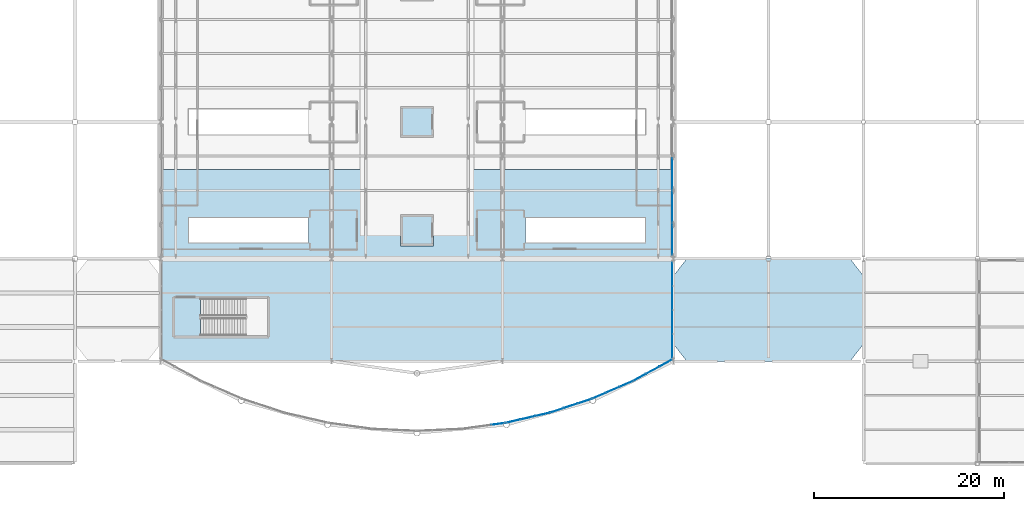
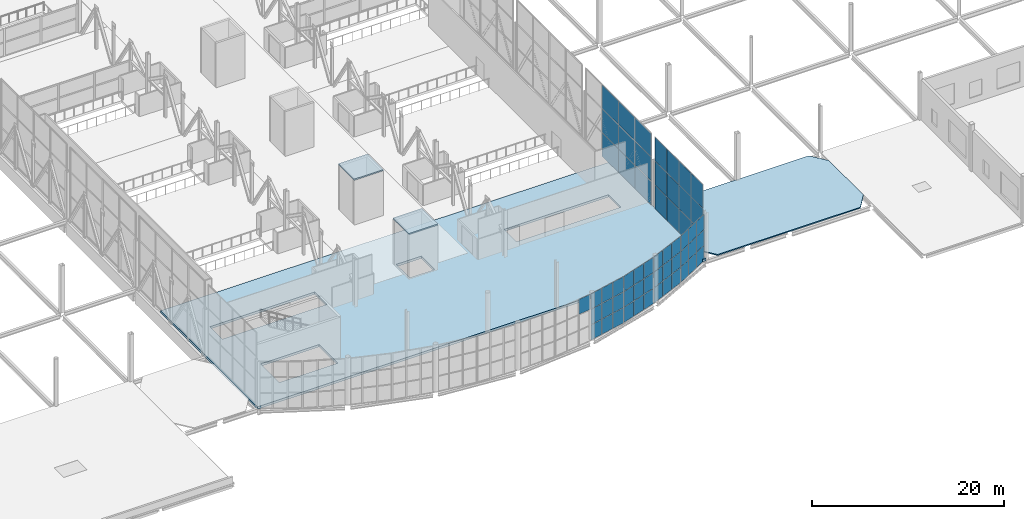
# One storey, part 150 of 191: 58 plates, 4 slabs, 7 elements without a shape of their own.
"""IFC4 building model written with IfcOpenShell, lengths in metres."""

from ifc_helpers import new_model, si_unit, direction, frame, origin, origin_2d, place, context, subcontext, project, spatial, polyline, rectangle, outline, extrude, material, layer, layer_set, type_object, element, aggregate, save


model = new_model("IFC4")

# Units and contexts
model_context = context("Model", 3, precision=1e-05, world=origin(), true_north=direction((0.0, 1.0)))
body_context = subcontext(model_context, "Body", "Model", "MODEL_VIEW")
ifc_project = project(units=[si_unit("LENGTHUNIT", "METRE"), si_unit("AREAUNIT", "SQUARE_METRE"), si_unit("VOLUMEUNIT", "CUBIC_METRE"), si_unit("PLANEANGLEUNIT", "RADIAN"), si_unit("MASSUNIT", "GRAM", prefix="KILO")], contexts=[model_context])

# Site, building, storey
site_placement = place(None, origin())
site = spatial("IfcSite", under=ifc_project, at=site_placement, CompositionType="ELEMENT")
building_placement = place(site_placement, origin())
building = spatial("IfcBuilding", under=site, at=building_placement, Name="Tamarisk Ironworks Central Station", CompositionType="ELEMENT")
storey_placement = place(building_placement, frame((0.0, 0.0, 6.60009765625)))
storey = spatial("IfcBuildingStorey", under=building, at=storey_placement, Name="L01", CompositionType="ELEMENT", Elevation=6.60009765625)

# Curtain wall, plate
ifc_material_1 = material(Name="Anodized aluminium alloy 6063-T6", Category="aluminium")
ifc_layer_1 = layer(ifc_material_1, 0.179931640625)
ifc_layer_set_1 = layer_set([ifc_layer_1], Name="Anodized aluminium alloy 6063-T6")
curtain_wall_type_1 = type_object("IfcCurtainWallType", Name="CW-02", PredefinedType="USERDEFINED", material=ifc_layer_set_1)
curtain_wall_1_placement = place(storey_placement, origin())
curtain_wall_1 = element("IfcCurtainWall", 1, at=curtain_wall_1_placement, inside=storey, type_object=curtain_wall_type_1, Name="SN rounded entrance hall L01 curtain wall bay 08", ObjectType="GLAZED CURTAIN WALL", PredefinedType="USERDEFINED")
ifc_material_2 = material(Name="Laminated solar-control low-E glass", Category="glass")
ifc_layer_2 = layer(ifc_material_2, 0.028076171875)
ifc_layer_set_2 = layer_set([ifc_layer_2], Name="Laminated solar-control low-E glass")
plate_type = type_object("IfcPlateType", Name="PL-CWP28", PredefinedType="CURTAIN_PANEL", material=ifc_layer_set_2)
plate_1_placement = place(storey_placement, frame((89.578125, 4.20703125, 3.64208984375), z_axis=(0.0, 0.0, 1.0), x_axis=(0.990703108403, 0.136041725218, 0.0)))
plate_1 = element("IfcPlate", 2, at=plate_1_placement, type_object=plate_type, Name="CW02 panel 3.3", PredefinedType="CURTAIN_PANEL", context=body_context, shape_type="SweptSolid", body=[
    extrude(rectangle(XDim=1.491943359375, YDim=0.028076171875, at=origin_2d()), origin(), (0.0, 0.0, 1.0), 1.923583984375),
])
aggregate(curtain_wall_1, [plate_1])

# Curtain wall, plates
curtain_wall_2_placement = place(storey_placement, origin())
curtain_wall_2 = element("IfcCurtainWall", 3, at=curtain_wall_2_placement, inside=storey, type_object=curtain_wall_type_1, Name="SN rounded entrance hall L01 curtain wall bay 09", ObjectType="GLAZED CURTAIN WALL", PredefinedType="USERDEFINED")
plate_2_placement = place(storey_placement, frame((91.14990234375, 4.496337890625, -0.3310546875), z_axis=(0.0, 0.0, 1.0), x_axis=(0.974239240545, 0.225516966506, 0.0)))
plate_2 = element("IfcPlate", 4, at=plate_2_placement, type_object=plate_type, Name="CW02 panel 1.1", PredefinedType="CURTAIN_PANEL", context=body_context, shape_type="SweptSolid", body=[
    extrude(rectangle(XDim=1.491943359375, YDim=0.028076171875, at=origin_2d()), origin(), (0.0, 0.0, 1.0), 1.923583984375),
])
plate_3_placement = place(storey_placement, frame((91.14990234375, 4.496337890625, 1.640625), z_axis=(0.0, 0.0, 1.0), x_axis=(0.974239240545, 0.225516966506, 0.0)))
plate_3 = element("IfcPlate", 5, at=plate_3_placement, type_object=plate_type, Name="CW02 panel 1.2", PredefinedType="CURTAIN_PANEL", context=body_context, shape_type="SweptSolid", body=[
    extrude(rectangle(XDim=1.491943359375, YDim=0.028076171875, at=origin_2d()), origin(), (0.0, 0.0, 1.0), 1.95361328125),
])
plate_4_placement = place(storey_placement, frame((91.14990234375, 4.496337890625, 3.64208984375), z_axis=(0.0, 0.0, 1.0), x_axis=(0.974239240545, 0.225516966506, 0.0)))
plate_4 = element("IfcPlate", 6, at=plate_4_placement, type_object=plate_type, Name="CW02 panel 1.3", PredefinedType="CURTAIN_PANEL", context=body_context, shape_type="SweptSolid", body=[
    extrude(rectangle(XDim=1.491943359375, YDim=0.028076171875, at=origin_2d()), origin(), (0.0, 0.0, 1.0), 1.923583984375),
])
plate_5_placement = place(storey_placement, frame((92.664794921875, 4.846923828125, -0.3310546875), z_axis=(0.0, 0.0, 1.0), x_axis=(0.974239240545, 0.225516966506, 0.0)))
plate_5 = element("IfcPlate", 7, at=plate_5_placement, type_object=plate_type, Name="CW02 panel 2.1", PredefinedType="CURTAIN_PANEL", context=body_context, shape_type="SweptSolid", body=[
    extrude(rectangle(XDim=1.52197265625, YDim=0.028076171875, at=origin_2d()), origin(), (0.0, 0.0, 1.0), 1.923583984375),
])
plate_6_placement = place(storey_placement, frame((92.664794921875, 4.846923828125, 1.640625), z_axis=(0.0, 0.0, 1.0), x_axis=(0.974239240545, 0.225516966506, 0.0)))
plate_6 = element("IfcPlate", 8, at=plate_6_placement, type_object=plate_type, Name="CW02 panel 2.2", PredefinedType="CURTAIN_PANEL", context=body_context, shape_type="SweptSolid", body=[
    extrude(rectangle(XDim=1.52197265625, YDim=0.028076171875, at=origin_2d()), origin(), (0.0, 0.0, 1.0), 1.95361328125),
])
plate_7_placement = place(storey_placement, frame((92.664794921875, 4.846923828125, 3.64208984375), z_axis=(0.0, 0.0, 1.0), x_axis=(0.974239240545, 0.225516966506, 0.0)))
plate_7 = element("IfcPlate", 9, at=plate_7_placement, type_object=plate_type, Name="CW02 panel 2.3", PredefinedType="CURTAIN_PANEL", context=body_context, shape_type="SweptSolid", body=[
    extrude(rectangle(XDim=1.52197265625, YDim=0.028076171875, at=origin_2d()), origin(), (0.0, 0.0, 1.0), 1.923583984375),
])
plate_8_placement = place(storey_placement, frame((94.1796875, 5.197509765625, -0.3310546875), z_axis=(0.0, 0.0, 1.0), x_axis=(0.974239240545, 0.225516966506, 0.0)))
plate_8 = element("IfcPlate", 10, at=plate_8_placement, type_object=plate_type, Name="CW02 panel 3.1", PredefinedType="CURTAIN_PANEL", context=body_context, shape_type="SweptSolid", body=[
    extrude(rectangle(XDim=1.491943359375, YDim=0.028076171875, at=origin_2d()), origin(), (0.0, 0.0, 1.0), 1.923583984375),
])
plate_9_placement = place(storey_placement, frame((94.1796875, 5.197509765625, 1.640625), z_axis=(0.0, 0.0, 1.0), x_axis=(0.974239240545, 0.225516966506, 0.0)))
plate_9 = element("IfcPlate", 11, at=plate_9_placement, type_object=plate_type, Name="CW02 panel 3.2", PredefinedType="CURTAIN_PANEL", context=body_context, shape_type="SweptSolid", body=[
    extrude(rectangle(XDim=1.491943359375, YDim=0.028076171875, at=origin_2d()), origin(), (0.0, 0.0, 1.0), 1.95361328125),
])
plate_10_placement = place(storey_placement, frame((94.1796875, 5.197509765625, 3.64208984375), z_axis=(0.0, 0.0, 1.0), x_axis=(0.974239240545, 0.225516966506, 0.0)))
plate_10 = element("IfcPlate", 12, at=plate_10_placement, type_object=plate_type, Name="CW02 panel 3.3", PredefinedType="CURTAIN_PANEL", context=body_context, shape_type="SweptSolid", body=[
    extrude(rectangle(XDim=1.491943359375, YDim=0.028076171875, at=origin_2d()), origin(), (0.0, 0.0, 1.0), 1.923583984375),
])
aggregate(curtain_wall_2, [plate_2, plate_3, plate_4, plate_5, plate_6, plate_7, plate_8, plate_9, plate_10])

curtain_wall_3_placement = place(storey_placement, origin())
curtain_wall_3 = element("IfcCurtainWall", 13, at=curtain_wall_3_placement, inside=storey, type_object=curtain_wall_type_1, Name="SN rounded entrance hall L01 curtain wall bay 10", ObjectType="GLAZED CURTAIN WALL", PredefinedType="USERDEFINED")
plate_11_placement = place(storey_placement, frame((95.71875, 5.62841796875, -0.3310546875), z_axis=(0.0, 0.0, 1.0), x_axis=(0.949720671692, 0.313098460171, 0.0)))
plate_11 = element("IfcPlate", 14, at=plate_11_placement, type_object=plate_type, Name="CW02 panel 1.1", PredefinedType="CURTAIN_PANEL", context=body_context, shape_type="SweptSolid", body=[
    extrude(rectangle(XDim=1.491943359375, YDim=0.028076171875, at=origin_2d()), origin(), (0.0, 0.0, 1.0), 1.923583984375),
])
plate_12_placement = place(storey_placement, frame((95.71875, 5.62841796875, 1.640625), z_axis=(0.0, 0.0, 1.0), x_axis=(0.949720671692, 0.313098460171, 0.0)))
plate_12 = element("IfcPlate", 15, at=plate_12_placement, type_object=plate_type, Name="CW02 panel 1.2", PredefinedType="CURTAIN_PANEL", context=body_context, shape_type="SweptSolid", body=[
    extrude(rectangle(XDim=1.491943359375, YDim=0.028076171875, at=origin_2d()), origin(), (0.0, 0.0, 1.0), 1.95361328125),
])
plate_13_placement = place(storey_placement, frame((95.71875, 5.62841796875, 3.64208984375), z_axis=(0.0, 0.0, 1.0), x_axis=(0.949720671692, 0.313098460171, 0.0)))
plate_13 = element("IfcPlate", 16, at=plate_13_placement, type_object=plate_type, Name="CW02 panel 1.3", PredefinedType="CURTAIN_PANEL", context=body_context, shape_type="SweptSolid", body=[
    extrude(rectangle(XDim=1.491943359375, YDim=0.028076171875, at=origin_2d()), origin(), (0.0, 0.0, 1.0), 1.923583984375),
])
plate_14_placement = place(storey_placement, frame((97.1953125, 6.115234375, -0.3310546875), z_axis=(0.0, 0.0, 1.0), x_axis=(0.949720671692, 0.313098460171, 0.0)))
plate_14 = element("IfcPlate", 17, at=plate_14_placement, type_object=plate_type, Name="CW02 panel 2.1", PredefinedType="CURTAIN_PANEL", context=body_context, shape_type="SweptSolid", body=[
    extrude(rectangle(XDim=1.52197265625, YDim=0.028076171875, at=origin_2d()), origin(), (0.0, 0.0, 1.0), 1.923583984375),
])
plate_15_placement = place(storey_placement, frame((97.1953125, 6.115234375, 1.640625), z_axis=(0.0, 0.0, 1.0), x_axis=(0.949720671692, 0.313098460171, 0.0)))
plate_15 = element("IfcPlate", 18, at=plate_15_placement, type_object=plate_type, Name="CW02 panel 2.2", PredefinedType="CURTAIN_PANEL", context=body_context, shape_type="SweptSolid", body=[
    extrude(rectangle(XDim=1.52197265625, YDim=0.028076171875, at=origin_2d()), origin(), (0.0, 0.0, 1.0), 1.95361328125),
])
plate_16_placement = place(storey_placement, frame((97.1953125, 6.115234375, 3.64208984375), z_axis=(0.0, 0.0, 1.0), x_axis=(0.949720671692, 0.313098460171, 0.0)))
plate_16 = element("IfcPlate", 19, at=plate_16_placement, type_object=plate_type, Name="CW02 panel 2.3", PredefinedType="CURTAIN_PANEL", context=body_context, shape_type="SweptSolid", body=[
    extrude(rectangle(XDim=1.52197265625, YDim=0.028076171875, at=origin_2d()), origin(), (0.0, 0.0, 1.0), 1.923583984375),
])
plate_17_placement = place(storey_placement, frame((98.672119140625, 6.60205078125, -0.3310546875), z_axis=(0.0, 0.0, 1.0), x_axis=(0.949720671692, 0.313098460171, 0.0)))
plate_17 = element("IfcPlate", 20, at=plate_17_placement, type_object=plate_type, Name="CW02 panel 3.1", PredefinedType="CURTAIN_PANEL", context=body_context, shape_type="SweptSolid", body=[
    extrude(rectangle(XDim=1.491943359375, YDim=0.028076171875, at=origin_2d()), origin(), (0.0, 0.0, 1.0), 1.923583984375),
])
plate_18_placement = place(storey_placement, frame((98.672119140625, 6.60205078125, 1.640625), z_axis=(0.0, 0.0, 1.0), x_axis=(0.949720671692, 0.313098460171, 0.0)))
plate_18 = element("IfcPlate", 21, at=plate_18_placement, type_object=plate_type, Name="CW02 panel 3.2", PredefinedType="CURTAIN_PANEL", context=body_context, shape_type="SweptSolid", body=[
    extrude(rectangle(XDim=1.491943359375, YDim=0.028076171875, at=origin_2d()), origin(), (0.0, 0.0, 1.0), 1.95361328125),
])
plate_19_placement = place(storey_placement, frame((98.672119140625, 6.60205078125, 3.64208984375), z_axis=(0.0, 0.0, 1.0), x_axis=(0.949720671692, 0.313098460171, 0.0)))
plate_19 = element("IfcPlate", 22, at=plate_19_placement, type_object=plate_type, Name="CW02 panel 3.3", PredefinedType="CURTAIN_PANEL", context=body_context, shape_type="SweptSolid", body=[
    extrude(rectangle(XDim=1.491943359375, YDim=0.028076171875, at=origin_2d()), origin(), (0.0, 0.0, 1.0), 1.923583984375),
])
aggregate(curtain_wall_3, [plate_11, plate_12, plate_13, plate_14, plate_15, plate_16, plate_17, plate_18, plate_19])

curtain_wall_4_placement = place(storey_placement, origin())
curtain_wall_4 = element("IfcCurtainWall", 23, at=curtain_wall_4_placement, inside=storey, type_object=curtain_wall_type_1, Name="SN rounded entrance hall L01 curtain wall bay 11", ObjectType="GLAZED CURTAIN WALL", PredefinedType="USERDEFINED")
plate_20_placement = place(storey_placement, frame((100.16552734375, 7.171142578125, -0.3310546875), z_axis=(0.0, 0.0, 1.0), x_axis=(0.917352033503, 0.398076935564, 0.0)))
plate_20 = element("IfcPlate", 24, at=plate_20_placement, type_object=plate_type, Name="CW02 panel 1.1", PredefinedType="CURTAIN_PANEL", context=body_context, shape_type="SweptSolid", body=[
    extrude(rectangle(XDim=1.491943359375, YDim=0.028076171875, at=origin_2d()), origin(), (0.0, 0.0, 1.0), 1.923583984375),
])
plate_21_placement = place(storey_placement, frame((100.16552734375, 7.171142578125, 1.640625), z_axis=(0.0, 0.0, 1.0), x_axis=(0.917352033503, 0.398076935564, 0.0)))
plate_21 = element("IfcPlate", 25, at=plate_21_placement, type_object=plate_type, Name="CW02 panel 1.2", PredefinedType="CURTAIN_PANEL", context=body_context, shape_type="SweptSolid", body=[
    extrude(rectangle(XDim=1.491943359375, YDim=0.028076171875, at=origin_2d()), origin(), (0.0, 0.0, 1.0), 1.95361328125),
])
plate_22_placement = place(storey_placement, frame((100.16552734375, 7.171142578125, 3.64208984375), z_axis=(0.0, 0.0, 1.0), x_axis=(0.917352033503, 0.398076935564, 0.0)))
plate_22 = element("IfcPlate", 26, at=plate_22_placement, type_object=plate_type, Name="CW02 panel 1.3", PredefinedType="CURTAIN_PANEL", context=body_context, shape_type="SweptSolid", body=[
    extrude(rectangle(XDim=1.491943359375, YDim=0.028076171875, at=origin_2d()), origin(), (0.0, 0.0, 1.0), 1.923583984375),
])
plate_23_placement = place(storey_placement, frame((101.592041015625, 7.7900390625, -0.3310546875), z_axis=(0.0, 0.0, 1.0), x_axis=(0.917352033503, 0.398076935564, 0.0)))
plate_23 = element("IfcPlate", 27, at=plate_23_placement, type_object=plate_type, Name="CW02 panel 2.1", PredefinedType="CURTAIN_PANEL", context=body_context, shape_type="SweptSolid", body=[
    extrude(rectangle(XDim=1.52197265625, YDim=0.028076171875, at=origin_2d()), origin(), (0.0, 0.0, 1.0), 1.923583984375),
])
plate_24_placement = place(storey_placement, frame((101.592041015625, 7.7900390625, 1.640625), z_axis=(0.0, 0.0, 1.0), x_axis=(0.917352033503, 0.398076935564, 0.0)))
plate_24 = element("IfcPlate", 28, at=plate_24_placement, type_object=plate_type, Name="CW02 panel 2.2", PredefinedType="CURTAIN_PANEL", context=body_context, shape_type="SweptSolid", body=[
    extrude(rectangle(XDim=1.52197265625, YDim=0.028076171875, at=origin_2d()), origin(), (0.0, 0.0, 1.0), 1.95361328125),
])
plate_25_placement = place(storey_placement, frame((101.592041015625, 7.7900390625, 3.64208984375), z_axis=(0.0, 0.0, 1.0), x_axis=(0.917352033503, 0.398076935564, 0.0)))
plate_25 = element("IfcPlate", 29, at=plate_25_placement, type_object=plate_type, Name="CW02 panel 2.3", PredefinedType="CURTAIN_PANEL", context=body_context, shape_type="SweptSolid", body=[
    extrude(rectangle(XDim=1.52197265625, YDim=0.028076171875, at=origin_2d()), origin(), (0.0, 0.0, 1.0), 1.923583984375),
])
plate_26_placement = place(storey_placement, frame((103.018310546875, 8.408935546875, -0.3310546875), z_axis=(0.0, 0.0, 1.0), x_axis=(0.917352033503, 0.398076935564, 0.0)))
plate_26 = element("IfcPlate", 30, at=plate_26_placement, type_object=plate_type, Name="CW02 panel 3.1", PredefinedType="CURTAIN_PANEL", context=body_context, shape_type="SweptSolid", body=[
    extrude(rectangle(XDim=1.491943359375, YDim=0.028076171875, at=origin_2d()), origin(), (0.0, 0.0, 1.0), 1.923583984375),
])
plate_27_placement = place(storey_placement, frame((103.018310546875, 8.408935546875, 1.640625), z_axis=(0.0, 0.0, 1.0), x_axis=(0.917352033503, 0.398076935564, 0.0)))
plate_27 = element("IfcPlate", 31, at=plate_27_placement, type_object=plate_type, Name="CW02 panel 3.2", PredefinedType="CURTAIN_PANEL", context=body_context, shape_type="SweptSolid", body=[
    extrude(rectangle(XDim=1.491943359375, YDim=0.028076171875, at=origin_2d()), origin(), (0.0, 0.0, 1.0), 1.95361328125),
])
plate_28_placement = place(storey_placement, frame((103.018310546875, 8.408935546875, 3.64208984375), z_axis=(0.0, 0.0, 1.0), x_axis=(0.917352033503, 0.398076935564, 0.0)))
plate_28 = element("IfcPlate", 32, at=plate_28_placement, type_object=plate_type, Name="CW02 panel 3.3", PredefinedType="CURTAIN_PANEL", context=body_context, shape_type="SweptSolid", body=[
    extrude(rectangle(XDim=1.491943359375, YDim=0.028076171875, at=origin_2d()), origin(), (0.0, 0.0, 1.0), 1.923583984375),
])
aggregate(curtain_wall_4, [plate_20, plate_21, plate_22, plate_23, plate_24, plate_25, plate_26, plate_27, plate_28])

curtain_wall_5_placement = place(storey_placement, origin())
curtain_wall_5 = element("IfcCurtainWall", 33, at=curtain_wall_5_placement, inside=storey, type_object=curtain_wall_type_1, Name="SN rounded entrance hall L01 curtain wall bay 12", ObjectType="GLAZED CURTAIN WALL", PredefinedType="USERDEFINED")
plate_29_placement = place(storey_placement, frame((104.4541015625, 9.111328125, -0.3310546875), z_axis=(0.0, 0.0, 1.0), x_axis=(0.877374910495, 0.47980544644, 0.0)))
plate_29 = element("IfcPlate", 34, at=plate_29_placement, type_object=plate_type, Name="CW02 panel 1.1", PredefinedType="CURTAIN_PANEL", context=body_context, shape_type="SweptSolid", body=[
    extrude(rectangle(XDim=1.491943359375, YDim=0.028076171875, at=origin_2d()), origin(), (0.0, 0.0, 1.0), 1.923583984375),
])
plate_30_placement = place(storey_placement, frame((104.4541015625, 9.111328125, 1.640625), z_axis=(0.0, 0.0, 1.0), x_axis=(0.877374910495, 0.47980544644, 0.0)))
plate_30 = element("IfcPlate", 35, at=plate_30_placement, type_object=plate_type, Name="CW02 panel 1.2", PredefinedType="CURTAIN_PANEL", context=body_context, shape_type="SweptSolid", body=[
    extrude(rectangle(XDim=1.491943359375, YDim=0.028076171875, at=origin_2d()), origin(), (0.0, 0.0, 1.0), 1.95361328125),
])
plate_31_placement = place(storey_placement, frame((104.4541015625, 9.111328125, 3.64208984375), z_axis=(0.0, 0.0, 1.0), x_axis=(0.877374910495, 0.47980544644, 0.0)))
plate_31 = element("IfcPlate", 36, at=plate_31_placement, type_object=plate_type, Name="CW02 panel 1.3", PredefinedType="CURTAIN_PANEL", context=body_context, shape_type="SweptSolid", body=[
    extrude(rectangle(XDim=1.491943359375, YDim=0.028076171875, at=origin_2d()), origin(), (0.0, 0.0, 1.0), 1.923583984375),
])
plate_32_placement = place(storey_placement, frame((105.818359375, 9.857177734375, -0.3310546875), z_axis=(0.0, 0.0, 1.0), x_axis=(0.877374910495, 0.47980544644, 0.0)))
plate_32 = element("IfcPlate", 37, at=plate_32_placement, type_object=plate_type, Name="CW02 panel 2.1", PredefinedType="CURTAIN_PANEL", context=body_context, shape_type="SweptSolid", body=[
    extrude(rectangle(XDim=1.52197265625, YDim=0.028076171875, at=origin_2d()), origin(), (0.0, 0.0, 1.0), 1.923583984375),
])
plate_33_placement = place(storey_placement, frame((105.818359375, 9.857177734375, 1.640625), z_axis=(0.0, 0.0, 1.0), x_axis=(0.877374910495, 0.47980544644, 0.0)))
plate_33 = element("IfcPlate", 38, at=plate_33_placement, type_object=plate_type, Name="CW02 panel 2.2", PredefinedType="CURTAIN_PANEL", context=body_context, shape_type="SweptSolid", body=[
    extrude(rectangle(XDim=1.52197265625, YDim=0.028076171875, at=origin_2d()), origin(), (0.0, 0.0, 1.0), 1.95361328125),
])
plate_34_placement = place(storey_placement, frame((105.818359375, 9.857177734375, 3.64208984375), z_axis=(0.0, 0.0, 1.0), x_axis=(0.877374910495, 0.47980544644, 0.0)))
plate_34 = element("IfcPlate", 39, at=plate_34_placement, type_object=plate_type, Name="CW02 panel 2.3", PredefinedType="CURTAIN_PANEL", context=body_context, shape_type="SweptSolid", body=[
    extrude(rectangle(XDim=1.52197265625, YDim=0.028076171875, at=origin_2d()), origin(), (0.0, 0.0, 1.0), 1.923583984375),
])
plate_35_placement = place(storey_placement, frame((107.182373046875, 10.603271484375, -0.3310546875), z_axis=(0.0, 0.0, 1.0), x_axis=(0.877374910495, 0.47980544644, 0.0)))
plate_35 = element("IfcPlate", 40, at=plate_35_placement, type_object=plate_type, Name="CW02 panel 3.1", PredefinedType="CURTAIN_PANEL", context=body_context, shape_type="SweptSolid", body=[
    extrude(rectangle(XDim=1.491943359375, YDim=0.028076171875, at=origin_2d()), origin(), (0.0, 0.0, 1.0), 1.923583984375),
])
plate_36_placement = place(storey_placement, frame((107.182373046875, 10.603271484375, 1.640625), z_axis=(0.0, 0.0, 1.0), x_axis=(0.877374910495, 0.47980544644, 0.0)))
plate_36 = element("IfcPlate", 41, at=plate_36_placement, type_object=plate_type, Name="CW02 panel 3.2", PredefinedType="CURTAIN_PANEL", context=body_context, shape_type="SweptSolid", body=[
    extrude(rectangle(XDim=1.491943359375, YDim=0.028076171875, at=origin_2d()), origin(), (0.0, 0.0, 1.0), 1.95361328125),
])
plate_37_placement = place(storey_placement, frame((107.182373046875, 10.603271484375, 3.64208984375), z_axis=(0.0, 0.0, 1.0), x_axis=(0.877374910495, 0.47980544644, 0.0)))
plate_37 = element("IfcPlate", 42, at=plate_37_placement, type_object=plate_type, Name="CW02 panel 3.3", PredefinedType="CURTAIN_PANEL", context=body_context, shape_type="SweptSolid", body=[
    extrude(rectangle(XDim=1.491943359375, YDim=0.028076171875, at=origin_2d()), origin(), (0.0, 0.0, 1.0), 1.923583984375),
])
aggregate(curtain_wall_5, [plate_29, plate_30, plate_31, plate_32, plate_33, plate_34, plate_35, plate_36, plate_37])

ifc_layer_3 = layer(ifc_material_1, 0.179931640625)
ifc_layer_set_3 = layer_set([ifc_layer_3], Name="Anodized aluminium alloy 6063-T6")
curtain_wall_type_2 = type_object("IfcCurtainWallType", Name="CW-05", PredefinedType="USERDEFINED", material=ifc_layer_set_3)
curtain_wall_6_placement = place(storey_placement, origin())
curtain_wall_6 = element("IfcCurtainWall", 43, at=curtain_wall_6_placement, inside=storey, type_object=curtain_wall_type_2, Name="Concourse E track-overlook curtain wall 01", ObjectType="GLAZED CURTAIN WALL", PredefinedType="USERDEFINED")
plate_38_placement = place(storey_placement, frame((107.8798828125, 12.427490234375, 0.0537109375), z_axis=(0.0, 0.0, 1.0), x_axis=(0.0, 1.0, 0.0)))
plate_38 = element("IfcPlate", 44, at=plate_38_placement, type_object=plate_type, Name="CW05 panel 1.1", PredefinedType="CURTAIN_PANEL", context=body_context, shape_type="SweptSolid", body=[
    extrude(rectangle(XDim=2.447021484375, YDim=0.028076171875, at=origin_2d()), origin(), (0.0, 0.0, 1.0), 2.995361328125),
])
plate_39_placement = place(storey_placement, frame((107.8798828125, 12.427490234375, 3.09716796875), z_axis=(0.0, 0.0, 1.0), x_axis=(0.0, 1.0, 0.0)))
plate_39 = element("IfcPlate", 45, at=plate_39_placement, type_object=plate_type, Name="CW05 panel 1.2", PredefinedType="CURTAIN_PANEL", context=body_context, shape_type="SweptSolid", body=[
    extrude(rectangle(XDim=2.447021484375, YDim=0.028076171875, at=origin_2d()), origin(), (0.0, 0.0, 1.0), 3.025390625),
])
plate_40_placement = place(storey_placement, frame((107.8798828125, 12.427490234375, 6.17041015625), z_axis=(0.0, 0.0, 1.0), x_axis=(0.0, 1.0, 0.0)))
plate_40 = element("IfcPlate", 46, at=plate_40_placement, type_object=plate_type, Name="CW05 panel 1.3", PredefinedType="CURTAIN_PANEL", context=body_context, shape_type="SweptSolid", body=[
    extrude(rectangle(XDim=2.447021484375, YDim=0.028076171875, at=origin_2d()), origin(), (0.0, 0.0, 1.0), 2.995361328125),
])
plate_41_placement = place(storey_placement, frame((107.8798828125, 14.9375, 0.0537109375), z_axis=(0.0, 0.0, 1.0), x_axis=(0.0, 1.0, 0.0)))
plate_41 = element("IfcPlate", 47, at=plate_41_placement, type_object=plate_type, Name="CW05 panel 2.1", PredefinedType="CURTAIN_PANEL", context=body_context, shape_type="SweptSolid", body=[
    extrude(rectangle(XDim=2.47705078125, YDim=0.028076171875, at=origin_2d()), origin(), (0.0, 0.0, 1.0), 2.995361328125),
])
plate_42_placement = place(storey_placement, frame((107.8798828125, 14.9375, 3.09716796875), z_axis=(0.0, 0.0, 1.0), x_axis=(0.0, 1.0, 0.0)))
plate_42 = element("IfcPlate", 48, at=plate_42_placement, type_object=plate_type, Name="CW05 panel 2.2", PredefinedType="CURTAIN_PANEL", context=body_context, shape_type="SweptSolid", body=[
    extrude(rectangle(XDim=2.47705078125, YDim=0.028076171875, at=origin_2d()), origin(), (0.0, 0.0, 1.0), 3.025390625),
])
plate_43_placement = place(storey_placement, frame((107.8798828125, 14.9375, 6.17041015625), z_axis=(0.0, 0.0, 1.0), x_axis=(0.0, 1.0, 0.0)))
plate_43 = element("IfcPlate", 49, at=plate_43_placement, type_object=plate_type, Name="CW05 panel 2.3", PredefinedType="CURTAIN_PANEL", context=body_context, shape_type="SweptSolid", body=[
    extrude(rectangle(XDim=2.47705078125, YDim=0.028076171875, at=origin_2d()), origin(), (0.0, 0.0, 1.0), 2.995361328125),
])
plate_44_placement = place(storey_placement, frame((107.8798828125, 17.46240234375, 0.0537109375), z_axis=(0.0, 0.0, 1.0), x_axis=(0.0, 1.0, 0.0)))
plate_44 = element("IfcPlate", 50, at=plate_44_placement, type_object=plate_type, Name="CW05 panel 3.1", PredefinedType="CURTAIN_PANEL", context=body_context, shape_type="SweptSolid", body=[
    extrude(rectangle(XDim=2.47705078125, YDim=0.028076171875, at=origin_2d()), origin(), (0.0, 0.0, 1.0), 2.995361328125),
])
plate_45_placement = place(storey_placement, frame((107.8798828125, 17.46240234375, 3.09716796875), z_axis=(0.0, 0.0, 1.0), x_axis=(0.0, 1.0, 0.0)))
plate_45 = element("IfcPlate", 51, at=plate_45_placement, type_object=plate_type, Name="CW05 panel 3.2", PredefinedType="CURTAIN_PANEL", context=body_context, shape_type="SweptSolid", body=[
    extrude(rectangle(XDim=2.47705078125, YDim=0.028076171875, at=origin_2d()), origin(), (0.0, 0.0, 1.0), 3.025390625),
])
plate_46_placement = place(storey_placement, frame((107.8798828125, 17.46240234375, 6.17041015625), z_axis=(0.0, 0.0, 1.0), x_axis=(0.0, 1.0, 0.0)))
plate_46 = element("IfcPlate", 52, at=plate_46_placement, type_object=plate_type, Name="CW05 panel 3.3", PredefinedType="CURTAIN_PANEL", context=body_context, shape_type="SweptSolid", body=[
    extrude(rectangle(XDim=2.47705078125, YDim=0.028076171875, at=origin_2d()), origin(), (0.0, 0.0, 1.0), 2.995361328125),
])
plate_47_placement = place(storey_placement, frame((107.8798828125, 19.972412109375, 0.0537109375), z_axis=(0.0, 0.0, 1.0), x_axis=(0.0, 1.0, 0.0)))
plate_47 = element("IfcPlate", 53, at=plate_47_placement, type_object=plate_type, Name="CW05 panel 4.1", PredefinedType="CURTAIN_PANEL", context=body_context, shape_type="SweptSolid", body=[
    extrude(rectangle(XDim=2.447021484375, YDim=0.028076171875, at=origin_2d()), origin(), (0.0, 0.0, 1.0), 2.995361328125),
])
plate_48_placement = place(storey_placement, frame((107.8798828125, 19.972412109375, 3.09716796875), z_axis=(0.0, 0.0, 1.0), x_axis=(0.0, 1.0, 0.0)))
plate_48 = element("IfcPlate", 54, at=plate_48_placement, type_object=plate_type, Name="CW05 panel 4.2", PredefinedType="CURTAIN_PANEL", context=body_context, shape_type="SweptSolid", body=[
    extrude(rectangle(XDim=2.447021484375, YDim=0.028076171875, at=origin_2d()), origin(), (0.0, 0.0, 1.0), 3.025390625),
])
plate_49_placement = place(storey_placement, frame((107.8798828125, 19.972412109375, 6.17041015625), z_axis=(0.0, 0.0, 1.0), x_axis=(0.0, 1.0, 0.0)))
plate_49 = element("IfcPlate", 55, at=plate_49_placement, type_object=plate_type, Name="CW05 panel 4.3", PredefinedType="CURTAIN_PANEL", context=body_context, shape_type="SweptSolid", body=[
    extrude(rectangle(XDim=2.447021484375, YDim=0.028076171875, at=origin_2d()), origin(), (0.0, 0.0, 1.0), 2.995361328125),
])
aggregate(curtain_wall_6, [plate_38, plate_39, plate_40, plate_41, plate_42, plate_43, plate_44, plate_45, plate_46, plate_47, plate_48, plate_49])

ifc_layer_4 = layer(ifc_material_1, 0.179931640625)
ifc_layer_set_4 = layer_set([ifc_layer_4], Name="Anodized aluminium alloy 6063-T6")
curtain_wall_type_3 = type_object("IfcCurtainWallType", Name="CW-06", PredefinedType="USERDEFINED", material=ifc_layer_set_4)
curtain_wall_7_placement = place(storey_placement, origin())
curtain_wall_7 = element("IfcCurtainWall", 56, at=curtain_wall_7_placement, inside=storey, type_object=curtain_wall_type_3, Name="Concourse E track-overlook curtain wall 02", ObjectType="GLAZED CURTAIN WALL", PredefinedType="USERDEFINED")
plate_50_placement = place(storey_placement, frame((107.8798828125, 23.68115234375, 0.06884765625), z_axis=(0.0, 0.0, 1.0), x_axis=(0.0, 1.0, 0.0)))
plate_50 = element("IfcPlate", 57, at=plate_50_placement, type_object=plate_type, Name="CW06 panel 1.1", PredefinedType="CURTAIN_PANEL", context=body_context, shape_type="SweptSolid", body=[
    extrude(rectangle(XDim=3.324462890625, YDim=0.028076171875, at=origin_2d()), origin(), (0.0, 0.0, 1.0), 2.972900390625),
])
plate_51_placement = place(storey_placement, frame((107.8798828125, 23.68115234375, 3.1044921875), z_axis=(0.0, 0.0, 1.0), x_axis=(0.0, 1.0, 0.0)))
plate_51 = element("IfcPlate", 58, at=plate_51_placement, type_object=plate_type, Name="CW06 panel 1.2", PredefinedType="CURTAIN_PANEL", context=body_context, shape_type="SweptSolid", body=[
    extrude(rectangle(XDim=3.324462890625, YDim=0.028076171875, at=origin_2d()), origin(), (0.0, 0.0, 1.0), 3.010498046875),
])
plate_52_placement = place(storey_placement, frame((107.8798828125, 23.68115234375, 6.17822265625), z_axis=(0.0, 0.0, 1.0), x_axis=(0.0, 1.0, 0.0)))
plate_52 = element("IfcPlate", 59, at=plate_52_placement, type_object=plate_type, Name="CW06 panel 1.3", PredefinedType="CURTAIN_PANEL", context=body_context, shape_type="SweptSolid", body=[
    extrude(rectangle(XDim=3.324462890625, YDim=0.028076171875, at=origin_2d()), origin(), (0.0, 0.0, 1.0), 2.972900390625),
])
plate_53_placement = place(storey_placement, frame((107.8798828125, 27.08740234375, 0.06884765625), z_axis=(0.0, 0.0, 1.0), x_axis=(0.0, 1.0, 0.0)))
plate_53 = element("IfcPlate", 60, at=plate_53_placement, type_object=plate_type, Name="CW06 panel 2.1", PredefinedType="CURTAIN_PANEL", context=body_context, shape_type="SweptSolid", body=[
    extrude(rectangle(XDim=3.362060546875, YDim=0.028076171875, at=origin_2d()), origin(), (0.0, 0.0, 1.0), 2.972900390625),
])
plate_54_placement = place(storey_placement, frame((107.8798828125, 27.08740234375, 3.1044921875), z_axis=(0.0, 0.0, 1.0), x_axis=(0.0, 1.0, 0.0)))
plate_54 = element("IfcPlate", 61, at=plate_54_placement, type_object=plate_type, Name="CW06 panel 2.2", PredefinedType="CURTAIN_PANEL", context=body_context, shape_type="SweptSolid", body=[
    extrude(rectangle(XDim=3.362060546875, YDim=0.028076171875, at=origin_2d()), origin(), (0.0, 0.0, 1.0), 3.010498046875),
])
plate_55_placement = place(storey_placement, frame((107.8798828125, 27.08740234375, 6.17822265625), z_axis=(0.0, 0.0, 1.0), x_axis=(0.0, 1.0, 0.0)))
plate_55 = element("IfcPlate", 62, at=plate_55_placement, type_object=plate_type, Name="CW06 panel 2.3", PredefinedType="CURTAIN_PANEL", context=body_context, shape_type="SweptSolid", body=[
    extrude(rectangle(XDim=3.362060546875, YDim=0.028076171875, at=origin_2d()), origin(), (0.0, 0.0, 1.0), 2.972900390625),
])
plate_56_placement = place(storey_placement, frame((107.8798828125, 30.512451171875, 0.06884765625), z_axis=(0.0, 0.0, 1.0), x_axis=(0.0, 1.0, 0.0)))
plate_56 = element("IfcPlate", 63, at=plate_56_placement, type_object=plate_type, Name="CW06 panel 3.1", PredefinedType="CURTAIN_PANEL", context=body_context, shape_type="SweptSolid", body=[
    extrude(rectangle(XDim=3.362060546875, YDim=0.028076171875, at=origin_2d()), origin(), (0.0, 0.0, 1.0), 2.972900390625),
])
plate_57_placement = place(storey_placement, frame((107.8798828125, 30.512451171875, 3.1044921875), z_axis=(0.0, 0.0, 1.0), x_axis=(0.0, 1.0, 0.0)))
plate_57 = element("IfcPlate", 64, at=plate_57_placement, type_object=plate_type, Name="CW06 panel 3.2", PredefinedType="CURTAIN_PANEL", context=body_context, shape_type="SweptSolid", body=[
    extrude(rectangle(XDim=3.362060546875, YDim=0.028076171875, at=origin_2d()), origin(), (0.0, 0.0, 1.0), 3.010498046875),
])
plate_58_placement = place(storey_placement, frame((107.8798828125, 30.512451171875, 6.17822265625), z_axis=(0.0, 0.0, 1.0), x_axis=(0.0, 1.0, 0.0)))
plate_58 = element("IfcPlate", 65, at=plate_58_placement, type_object=plate_type, Name="CW06 panel 3.3", PredefinedType="CURTAIN_PANEL", context=body_context, shape_type="SweptSolid", body=[
    extrude(rectangle(XDim=3.362060546875, YDim=0.028076171875, at=origin_2d()), origin(), (0.0, 0.0, 1.0), 2.972900390625),
])
aggregate(curtain_wall_7, [plate_50, plate_51, plate_52, plate_53, plate_54, plate_55, plate_56, plate_57, plate_58])

# Slabs
ifc_material_3 = material(Name="Concrete C35/45", Category="concrete")
ifc_layer_5 = layer(ifc_material_3, 0.300048828125)
ifc_layer_set_5 = layer_set([ifc_layer_5], Name="Concrete C35/45")
slab_type_1 = type_object("IfcSlabType", Name="SL-BR300", PredefinedType="FLOOR", material=ifc_layer_set_5)
slab_1_placement = place(storey_placement, frame((0.0, 0.0, -0.300048828125)))
element("IfcSlab", 66, at=slab_1_placement, inside=storey, type_object=slab_type_1, Name="L01 Suspended Floor Slab V2-S", PredefinedType="FLOOR", context=body_context, shape_type="SweptSolid", body=[
    extrude(outline(polyline([(54.0, 10.800048828125), (108.0, 10.800048828125), (108.0, 31.0), (54.0, 31.0), (54.0, 10.800048828125)]), holes=[polyline([(58.199951171875, 13.5), (65.25, 13.5), (65.25, 17.39990234375), (58.199951171875, 17.39990234375), (58.199951171875, 13.5)]), polyline([(79.5, 23.199951171875), (82.5, 23.199951171875), (82.5, 26.0), (79.5, 26.0), (79.5, 23.199951171875)]), polyline([(57.0, 23.300048828125), (69.60009765625, 23.300048828125), (69.60009765625, 25.89990234375), (57.0, 25.89990234375), (57.0, 23.300048828125)]), polyline([(92.39990234375, 23.300048828125), (105.0, 23.300048828125), (105.0, 25.89990234375), (92.39990234375, 25.89990234375), (92.39990234375, 23.300048828125)])]), origin(), (0.0, 0.0, 1.0), 0.300048828125),
])
ifc_material_4 = material(Name="Precast concrete C45/55", Category="concrete")
ifc_layer_6 = layer(ifc_material_4, 0.139892578125)
ifc_layer_set_6 = layer_set([ifc_layer_6], Name="Precast concrete C45/55")
slab_type_2 = type_object("IfcSlabType", Name="SL-CN140", PredefinedType="ROOF", material=ifc_layer_set_6)
slab_2_placement = place(storey_placement, frame((0.0, 0.0, -0.14013671875)))
element("IfcSlab", 67, at=slab_2_placement, inside=storey, type_object=slab_type_2, Name="Forecourt Canopy Roof Slab CN-SE", PredefinedType="ROOF", context=body_context, shape_type="SweptSolid", body=[
    extrude(outline(polyline([(109.39990234375, 10.800048828125), (126.60009765625, 10.800048828125), (128.0, 12.60009765625), (128.0, 19.800048828125), (126.60009765625, 21.60009765625), (109.39990234375, 21.60009765625), (108.0, 19.800048828125), (108.0, 12.60009765625), (109.39990234375, 10.800048828125)])), origin(), (0.0, 0.0, 1.0), 0.14013671875),
])
ifc_layer_7 = layer(ifc_material_3, 0.159912109375)
ifc_layer_set_7 = layer_set([ifc_layer_7], Name="Concrete C35/45")
slab_type_3 = type_object("IfcSlabType", Name="SL-RF160", PredefinedType="ROOF", material=ifc_layer_set_7)
slab_3_placement = place(storey_placement, frame((0.0, 0.0, 5.699951171875)))
element("IfcSlab", 68, at=slab_3_placement, inside=storey, type_object=slab_type_3, Name="LF-P1 shaft overrun cap slab", PredefinedType="ROOF", context=body_context, shape_type="SweptSolid", body=[
    extrude(outline(polyline([(79.25, 22.949951171875), (82.75, 22.949951171875), (82.75, 26.25), (79.25, 26.25), (79.25, 22.949951171875)])), origin(), (0.0, 0.0, 1.0), 0.159912109375),
])
slab_4_placement = place(storey_placement, frame((0.0, 0.0, 5.699951171875)))
element("IfcSlab", 69, at=slab_4_placement, inside=storey, type_object=slab_type_3, Name="LF-P2 shaft overrun cap slab", PredefinedType="ROOF", context=body_context, shape_type="SweptSolid", body=[
    extrude(outline(polyline([(79.25, 34.35009765625), (82.75, 34.35009765625), (82.75, 37.64990234375), (79.25, 37.64990234375), (79.25, 34.35009765625)])), origin(), (0.0, 0.0, 1.0), 0.159912109375),
])

save(model, "model.ifc")
